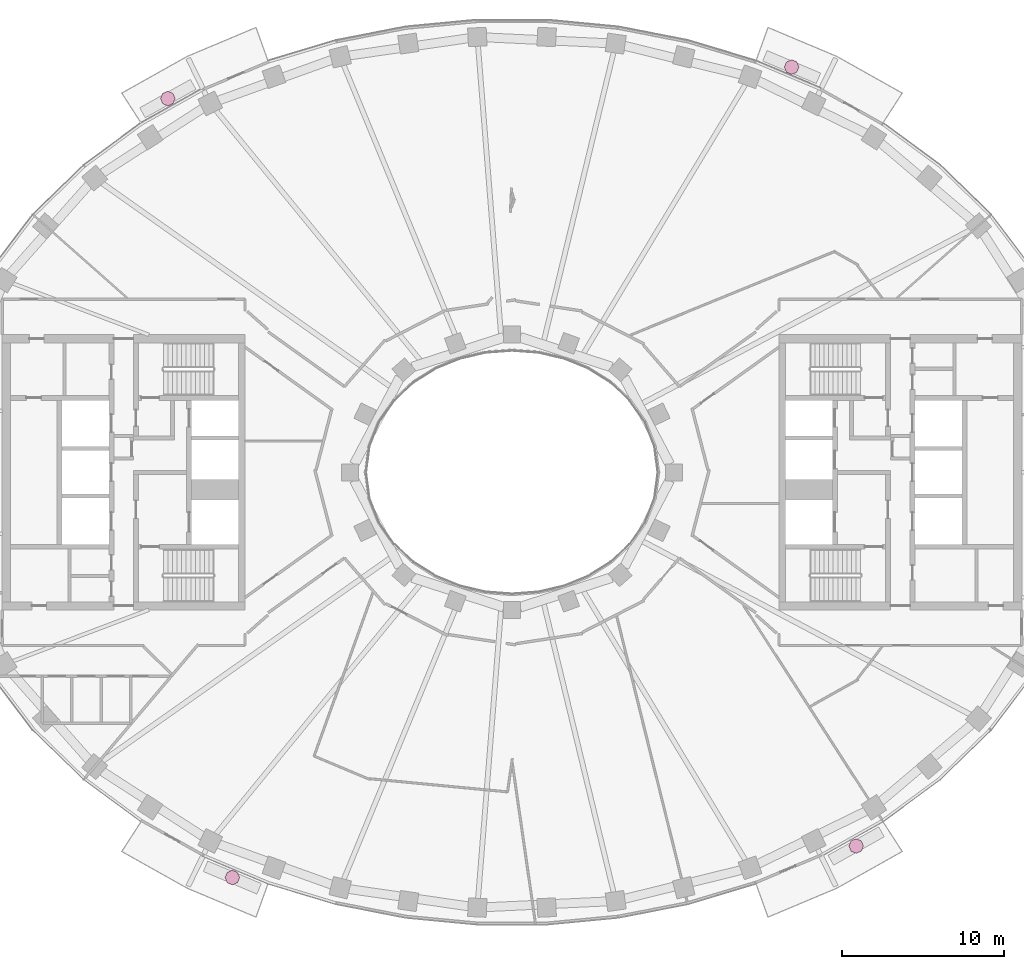
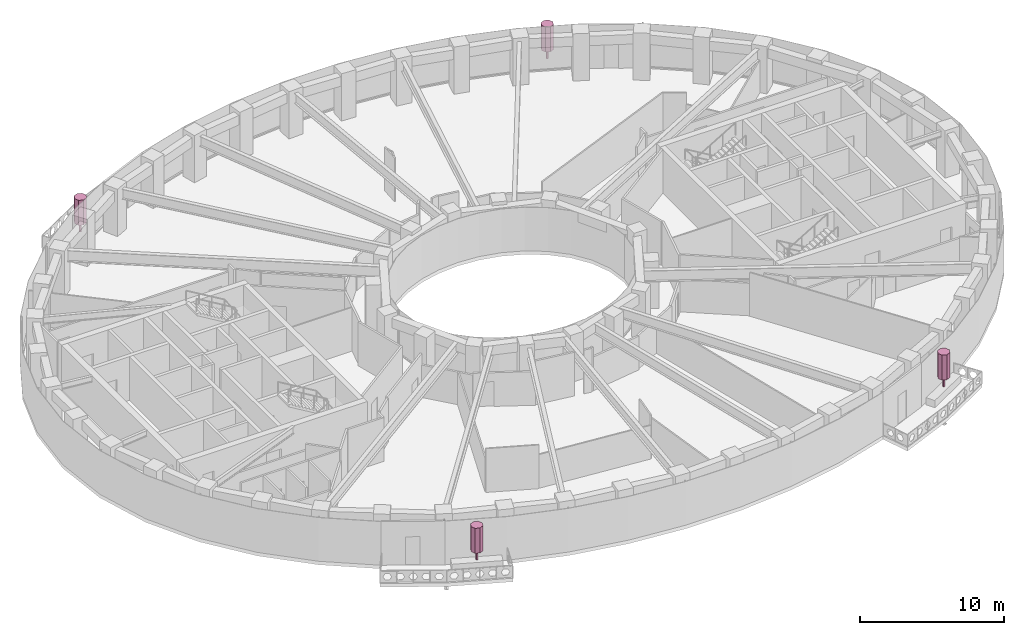
# One storey, part 15 of 15: 4 furnishings.
"""IFC4 building model written with IfcOpenShell, lengths in metres."""

from ifc_helpers import new_model, si_unit, direction, frame, origin, origin_2d, place, context, subcontext, project, spatial, polyline, rectangle, outline, extrude, material, type_object, element, save


model = new_model("IFC4")

# Units and contexts
model_context = context("Model", 3, precision=1e-05, world=origin(), true_north=direction((0.0, 1.0)))
body_context = subcontext(model_context, "Body", "Model", "MODEL_VIEW")
ifc_project = project(units=[si_unit("LENGTHUNIT", "METRE"), si_unit("AREAUNIT", "SQUARE_METRE"), si_unit("VOLUMEUNIT", "CUBIC_METRE"), si_unit("PLANEANGLEUNIT", "RADIAN"), si_unit("MASSUNIT", "GRAM", prefix="KILO")], contexts=[model_context])

# Site, building, storey
site_placement = place(None, origin())
site = spatial("IfcSite", under=ifc_project, at=site_placement, CompositionType="ELEMENT")
building_placement = place(site_placement, origin())
building = spatial("IfcBuilding", under=site, at=building_placement, Name="Noorbagh Ring Tower", CompositionType="ELEMENT")
storey_placement = place(building_placement, frame((0.0, 0.0, 182.0)))
storey = spatial("IfcBuildingStorey", under=building, at=storey_placement, Name="L42", CompositionType="ELEMENT", Elevation=182.0)

# Furnishings
ifc_material = material(Name="Planting foliage green")
furnishing_element_type = type_object("IfcFurnishingElementType", Name="ENV-TREE", material=ifc_material)
for number, where, z_axis, x_axis, name in (
    (1, (17.280517578125, 25.041259765625, 0.60009765625), (0.0, 0.0, 1.0), (1.0, 0.0, 0.0), "Tree BN02"),
    (2, (-21.26513671875, 23.093017578125, 0.60009765625), (0.0, 0.0, 1.0), (1.0, 0.0, 0.0), "Tree BN05"),
    (3, (-17.280517578125, -25.041259765625, 0.60009765625), (0.0, 0.0, 1.0), (1.0, 0.0, 0.0), "Tree BS02"),
    (4, (21.26513671875, -23.093017578125, 0.60009765625), (0.0, 0.0, 1.0), (1.0, 0.0, 0.0), "Tree BS05"),
):
    element("IfcFurnishingElement", number, at=place(storey_placement, frame(where, z_axis=z_axis, x_axis=x_axis)), inside=storey, type_object=furnishing_element_type, Name=name, context=body_context, shape_type="SweptSolid", body=[
        extrude(rectangle(XDim=0.1201171875, YDim=0.1201171875, at=origin_2d()), origin(), (0.0, 0.0, 1.0), 0.825927734375),
        extrude(outline(polyline([(0.449951171875, 0.0), (0.318115234375, 0.318115234375), (0.0, 0.449951171875), (-0.318115234375, 0.318115234375), (-0.449951171875, 0.0), (-0.318115234375, -0.318115234375), (0.0, -0.449951171875), (0.318115234375, -0.318115234375), (0.449951171875, 0.0)])), frame((0.0, 0.0, 0.825927734375)), (0.0, 0.0, 1.0), 2.1240234375),
    ])

save(model, "model.ifc")
